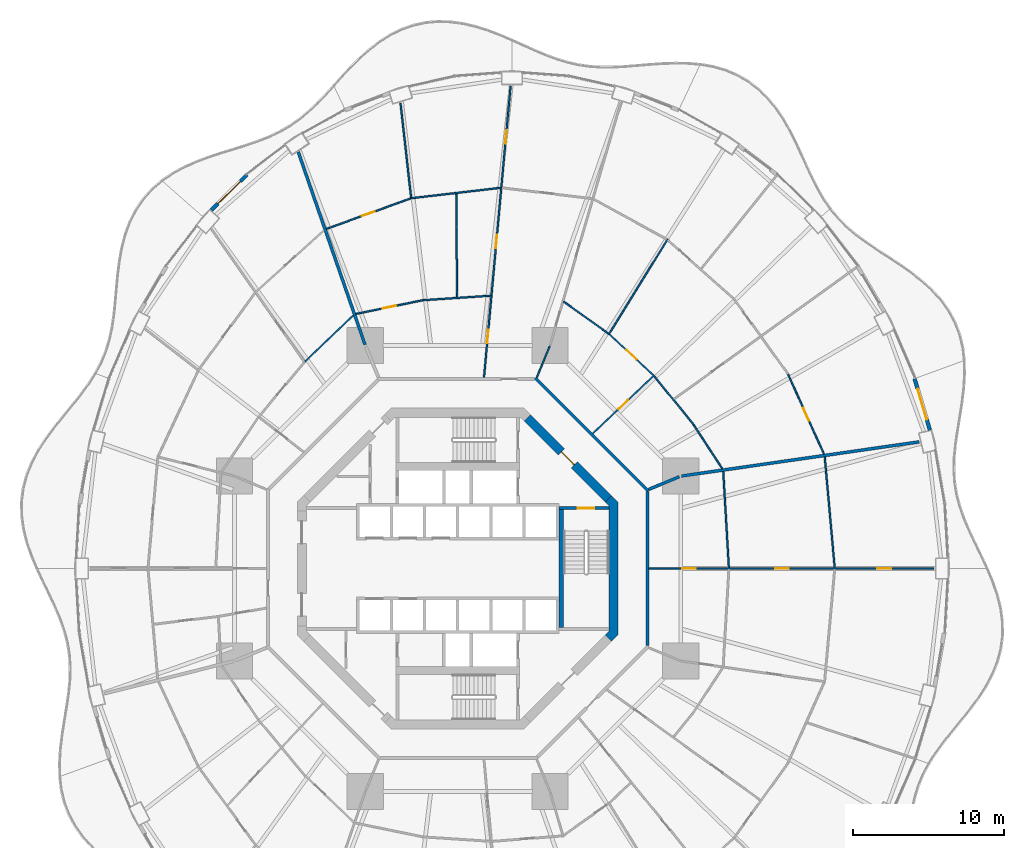
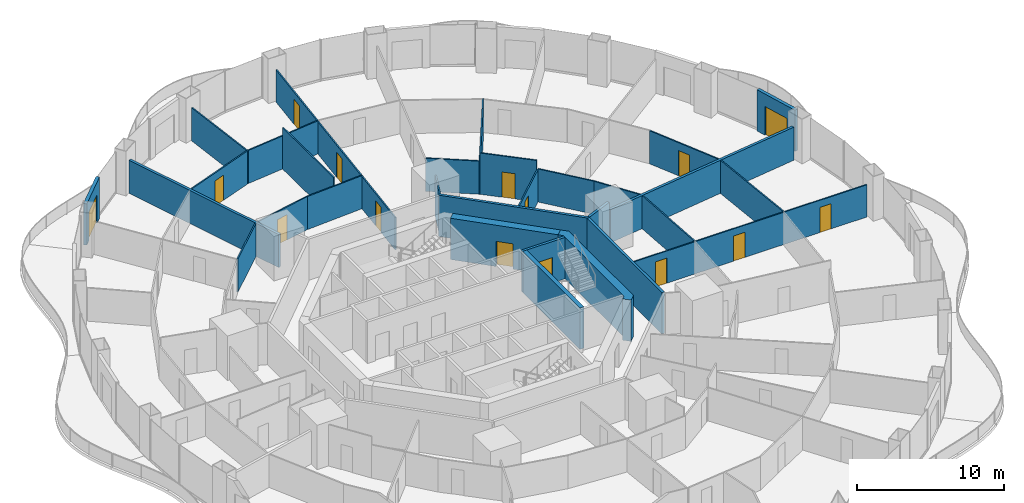
# One storey, part 17 of 21: 30 walls, 15 doors, 15 openings.
"""IFC4 building model written with IfcOpenShell, lengths in metres."""

from ifc_helpers import new_model, si_unit, direction, frame, frame_2d, origin, place, context, subcontext, project, spatial, polyline, rectangle, outline, extrude, material, layer, layer_set, type_object, element, fill, save


model = new_model("IFC4")

# Units and contexts
model_context = context("Model", 3, precision=1e-05, world=origin(), true_north=direction((0.0, 1.0)))
body_context = subcontext(model_context, "Body", "Model", "MODEL_VIEW")
ifc_project = project(units=[si_unit("LENGTHUNIT", "METRE"), si_unit("AREAUNIT", "SQUARE_METRE"), si_unit("VOLUMEUNIT", "CUBIC_METRE"), si_unit("PLANEANGLEUNIT", "RADIAN"), si_unit("MASSUNIT", "GRAM", prefix="KILO")], contexts=[model_context])

# Site, building, storey
site_placement = place(None, origin())
site = spatial("IfcSite", under=ifc_project, at=site_placement, CompositionType="ELEMENT")
building_placement = place(site_placement, origin())
building = spatial("IfcBuilding", under=site, at=building_placement, Name="Nagisa Residences", CompositionType="ELEMENT")
storey_placement = place(building_placement, frame((0.0, 0.0, 60.300048828125)))
storey = spatial("IfcBuildingStorey", under=building, at=storey_placement, Name="L14", CompositionType="ELEMENT", Elevation=60.300048828125)

# Walls
ifc_material_1 = material(Name="Gypsum board on steel studs", Category="steel")
ifc_layer_1 = layer(ifc_material_1, 0.199951171875)
ifc_layer_set_1 = layer_set([ifc_layer_1], Name="Apartment compartment wall EI60 200")
wall_type_1 = type_object("IfcWallType", Name="Apartment compartment wall EI60 200", PredefinedType="PARTITIONING", material=ifc_layer_set_1)
wall_1_placement = place(storey_placement, frame((12.6572265625, 5.24267578125, 0.0), z_axis=(0.0, 0.0, 1.0), x_axis=(0.923853160736, 0.382747093259, 0.0)))
element("IfcWall", 1, at=wall_1_placement, inside=storey, type_object=wall_type_1, Name="wall:L14:u00", PredefinedType="PARTITIONING", context=body_context, shape_type="SweptSolid", body=[
    extrude(rectangle(XDim=2.199951171875, YDim=0.199951171875, at=frame_2d((1.10009765625, 0.0))), origin(), (0.0, 0.0, 1.0), 3.43994140625),
])
wall_2_placement = place(storey_placement, frame((14.83154296875, 6.130126953125, 0.0), z_axis=(0.0, 0.0, 1.0), x_axis=(0.989836541293, 0.142209779978, 0.0)))
element("IfcWall", 2, at=wall_2_placement, inside=storey, type_object=wall_type_1, Name="wall:L14:u01", PredefinedType="PARTITIONING", context=body_context, shape_type="SweptSolid", body=[
    extrude(rectangle(XDim=15.9091796875, YDim=0.199951171875, at=frame_2d((7.95458984375, 0.0))), origin(), (0.0, 0.0, 1.0), 2.755859375),
])
wall_3_placement = place(storey_placement, frame((-6.139404296875, 14.829345703125, 0.0), z_axis=(0.0, 0.0, 1.0), x_axis=(-0.327178799566, 0.944962450637, 0.0)))
element("IfcWall", 3, at=wall_3_placement, inside=storey, type_object=wall_type_1, Name="wall:L14:u03", PredefinedType="PARTITIONING", context=body_context, shape_type="SweptSolid", body=[
    extrude(rectangle(XDim=13.517333984375, YDim=0.199951171875, at=frame_2d((6.7587890625, 0.0))), origin(), (0.0, 0.0, 1.0), 2.755859375),
])
ifc_material_2 = material(Name="Gypsum board on steel studs", Category="steel")
ifc_layer_2 = layer(ifc_material_2, 0.199951171875)
ifc_layer_set_2 = layer_set([ifc_layer_2], Name="Apartment entry wall EI60 200")
wall_type_2 = type_object("IfcWallType", Name="Apartment entry wall EI60 200", PredefinedType="PARTITIONING", material=ifc_layer_set_2)
wall_4_placement = place(storey_placement, frame((12.564697265625, -5.1044921875, 0.0), z_axis=(0.0, 0.0, 1.0), x_axis=(0.0, 1.0, 0.0)))
element("IfcWall", 4, at=wall_4_placement, inside=storey, type_object=wall_type_2, Name="wall:L14:u06", PredefinedType="PARTITIONING", context=body_context, shape_type="SweptSolid", body=[
    extrude(rectangle(XDim=10.208984375, YDim=0.199951171875, at=frame_2d((5.1044921875, 0.0))), origin(), (0.0, 0.0, 1.0), 3.43994140625),
])
wall_5_placement = place(storey_placement, frame((12.635498046875, 5.1337890625, 0.0), z_axis=(0.0, 0.0, 1.0), x_axis=(-0.707106781187, 0.707106781187, 0.0)))
element("IfcWall", 5, at=wall_5_placement, inside=storey, type_object=wall_type_2, Name="wall:L14:u07", PredefinedType="PARTITIONING", context=body_context, shape_type="SweptSolid", body=[
    extrude(rectangle(XDim=10.609130859375, YDim=0.199951171875, at=frame_2d((5.3046875, 0.0))), origin(), (0.0, 0.0, 1.0), 3.43994140625),
])

# Wall, openings, doors
ifc_material_3 = material(Name="Gypsum board on steel studs", Category="steel")
ifc_layer_3 = layer(ifc_material_3, 0.10009765625)
ifc_layer_set_3 = layer_set([ifc_layer_3], Name="Apartment partition 100")
wall_type_3 = type_object("IfcWallType", Name="Apartment partition 100", PredefinedType="PARTITIONING", material=ifc_layer_set_3)
wall_6_placement = place(storey_placement, frame((12.664794921875, 0.0, 0.0), z_axis=(0.0, 0.0, 1.0), x_axis=(1.0, 0.0, 0.0)))
wall_6 = element("IfcWall", 6, at=wall_6_placement, inside=storey, type_object=wall_type_3, Name="wall:L14:u14", PredefinedType="PARTITIONING", context=body_context, shape_type="SweptSolid", body=[
    extrude(rectangle(XDim=18.88525390625, YDim=0.10009765625, at=frame_2d((9.442626953125, 0.0))), origin(), (0.0, 0.0, 1.0), 2.68701171875),
])
opening_1_placement = place(wall_6_placement, frame((2.204833984375, 0.0, 0.0)))
opening_1 = element("IfcOpeningElement", 7, at=opening_1_placement, cuts=wall_6, Name="Opening L14-U05", PredefinedType="OPENING", context=body_context, shape_type="SweptSolid", body=[
    extrude(rectangle(XDim=0.89990234375, YDim=2.10009765625, at=frame_2d((0.449951171875, 1.050048828125))), frame((0.0, 0.06005859375, 0.0), z_axis=(0.0, -1.0, 0.0), x_axis=(1.0, 0.0, 0.0)), (0.0, 0.0, 1.0), 0.1201171875),
])
opening_2_placement = place(wall_6_placement, frame((8.36572265625, 0.0, 0.0)))
opening_2 = element("IfcOpeningElement", 8, at=opening_2_placement, cuts=wall_6, Name="Opening L14-U10", PredefinedType="OPENING", context=body_context, shape_type="SweptSolid", body=[
    extrude(rectangle(XDim=0.89990234375, YDim=2.10009765625, at=frame_2d((0.449951171875, 1.050048828125))), frame((0.0, 0.06005859375, 0.0), z_axis=(0.0, -1.0, 0.0), x_axis=(1.0, 0.0, 0.0)), (0.0, 0.0, 1.0), 0.1201171875),
])
opening_3_placement = place(wall_6_placement, frame((15.153564453125, 0.0, 0.0)))
opening_3 = element("IfcOpeningElement", 9, at=opening_3_placement, cuts=wall_6, Name="Opening L14-U16", PredefinedType="OPENING", context=body_context, shape_type="SweptSolid", body=[
    extrude(rectangle(XDim=0.89990234375, YDim=2.10009765625, at=frame_2d((0.449951171875, 1.050048828125))), frame((0.0, 0.06005859375, 0.0), z_axis=(0.0, -1.0, 0.0), x_axis=(1.0, 0.0, 0.0)), (0.0, 0.0, 1.0), 0.1201171875),
])
ifc_material_4 = material(Name="Timber door set", Category="wood")
door_type_1 = type_object("IfcDoorType", Name="Apartment door 900x2100", OperationType="NOTDEFINED", PredefinedType="DOOR", material=ifc_material_4)
door_1_placement = place(opening_1_placement, origin())
door_1 = element("IfcDoor", 10, at=door_1_placement, inside=storey, type_object=door_type_1, Name="Door to laundry, Apartment 14A", OperationType="SINGLE_SWING_LEFT", OverallHeight=2.10009765625, OverallWidth=0.89990234375, PredefinedType="DOOR", context=body_context, shape_type="SweptSolid", body=[
    extrude(rectangle(XDim=0.89990234375, YDim=2.10009765625, at=frame_2d((0.449951171875, 1.050048828125))), frame((0.0, 0.02490234375, 0.0), z_axis=(0.0, -1.0, 0.0), x_axis=(1.0, 0.0, 0.0)), (0.0, 0.0, 1.0), 0.050048828125),
])
fill(opening_1, door_1)
door_2_placement = place(opening_2_placement, origin())
door_2 = element("IfcDoor", 11, at=door_2_placement, inside=storey, type_object=door_type_1, Name="Door to dining room, Apartment 14A", OperationType="SINGLE_SWING_RIGHT", OverallHeight=2.10009765625, OverallWidth=0.89990234375, PredefinedType="DOOR", context=body_context, shape_type="SweptSolid", body=[
    extrude(rectangle(XDim=0.89990234375, YDim=2.10009765625, at=frame_2d((0.449951171875, 1.050048828125))), frame((0.0, 0.02490234375, 0.0), z_axis=(0.0, -1.0, 0.0), x_axis=(1.0, 0.0, 0.0)), (0.0, 0.0, 1.0), 0.050048828125),
])
fill(opening_2, door_2)
door_3_placement = place(opening_3_placement, origin())
door_3 = element("IfcDoor", 12, at=door_3_placement, inside=storey, type_object=door_type_1, Name="Door to dining room, Apartment 14A", OperationType="SINGLE_SWING_RIGHT", OverallHeight=2.10009765625, OverallWidth=0.89990234375, PredefinedType="DOOR", context=body_context, shape_type="SweptSolid", body=[
    extrude(rectangle(XDim=0.89990234375, YDim=2.10009765625, at=frame_2d((0.449951171875, 1.050048828125))), frame((0.0, 0.02490234375, 0.0), z_axis=(0.0, -1.0, 0.0), x_axis=(1.0, 0.0, 0.0)), (0.0, 0.0, 1.0), 0.050048828125),
])
fill(opening_3, door_3)

# Walls
wall_7_placement = place(storey_placement, frame((17.971435546875, 0.0498046875, 0.0), z_axis=(0.0, 0.0, 1.0), x_axis=(-0.058513659907, 0.998286607946, 0.0)))
element("IfcWall", 13, at=wall_7_placement, inside=storey, type_object=wall_type_3, Name="wall:L14:u15", PredefinedType="PARTITIONING", context=body_context, shape_type="SweptSolid", body=[
    extrude(rectangle(XDim=6.387939453125, YDim=0.10009765625, at=frame_2d((3.19384765625, 0.0))), origin(), (0.0, 0.0, 1.0), 2.755859375),
])
wall_8_placement = place(storey_placement, frame((24.982177734375, 0.0498046875, 0.0), z_axis=(0.0, 0.0, 1.0), x_axis=(-0.08944290521, 0.995991951126, 0.0)))
element("IfcWall", 14, at=wall_8_placement, inside=storey, type_object=wall_type_3, Name="wall:L14:u17", PredefinedType="PARTITIONING", context=body_context, shape_type="SweptSolid", body=[
    extrude(rectangle(XDim=7.37255859375, YDim=0.10009765625, at=frame_2d((3.686279296875, 0.0))), origin(), (0.0, 0.0, 1.0), 2.755859375),
])
wall_9_placement = place(storey_placement, frame((17.537109375, 6.6103515625, 0.0), z_axis=(0.0, 0.0, 1.0), x_axis=(-0.547637987196, 0.836715384692, 0.0)))
element("IfcWall", 15, at=wall_9_placement, inside=storey, type_object=wall_type_3, Name="wall:L14:u19", PredefinedType="PARTITIONING", context=body_context, shape_type="SweptSolid", body=[
    extrude(rectangle(XDim=3.52001953125, YDim=0.10009765625, at=frame_2d((1.760009765625, 0.0))), origin(), (0.0, 0.0, 1.0), 2.755859375),
])

# Wall, opening, door
wall_10_placement = place(storey_placement, frame((24.272705078125, 7.583740234375, 0.0), z_axis=(0.0, 0.0, 1.0), x_axis=(-0.410201529109, 0.911994904326, 0.0)))
wall_10 = element("IfcWall", 16, at=wall_10_placement, inside=storey, type_object=wall_type_3, Name="wall:L14:u20", PredefinedType="PARTITIONING", context=body_context, shape_type="SweptSolid", body=[
    extrude(rectangle(XDim=5.786865234375, YDim=0.10009765625, at=frame_2d((2.8935546875, 0.0))), origin(), (0.0, 0.0, 1.0), 2.755859375),
])
opening_4_placement = place(wall_10_placement, frame((2.443603515625, 0.0, 0.0)))
opening_4 = element("IfcOpeningElement", 17, at=opening_4_placement, cuts=wall_10, Name="Opening L14-U41", PredefinedType="OPENING", context=body_context, shape_type="SweptSolid", body=[
    extrude(rectangle(XDim=0.89990234375, YDim=2.10009765625, at=frame_2d((0.449951171875, 1.050048828125))), frame((0.0, 0.06005859375, 0.0), z_axis=(0.0, -1.0, 0.0), x_axis=(1.0, 0.0, 0.0)), (0.0, 0.0, 1.0), 0.1201171875),
])
door_4_placement = place(opening_4_placement, frame((0.89990234375, 0.0, 0.0), x_axis=(-1.0, 0.0, 0.0)))
door_4 = element("IfcDoor", 18, at=door_4_placement, inside=storey, type_object=door_type_1, Name="Door to family room, Apartment 14B", OperationType="SINGLE_SWING_RIGHT", OverallHeight=2.10009765625, OverallWidth=0.89990234375, PredefinedType="DOOR", context=body_context, shape_type="SweptSolid", body=[
    extrude(rectangle(XDim=0.89990234375, YDim=2.10009765625, at=frame_2d((0.449951171875, 1.050048828125))), frame((0.0, 0.02490234375, 0.0), z_axis=(0.0, -1.0, 0.0), x_axis=(1.0, 0.0, 0.0)), (0.0, 0.0, 1.0), 0.050048828125),
])
fill(opening_4, door_4)

# Wall
wall_11_placement = place(storey_placement, frame((15.613525390625, 9.55859375, 0.0), z_axis=(0.0, 0.0, 1.0), x_axis=(-0.63012473344, 0.776493928056, 0.0)))
element("IfcWall", 19, at=wall_11_placement, inside=storey, type_object=wall_type_3, Name="wall:L14:u21", PredefinedType="PARTITIONING", context=body_context, shape_type="SweptSolid", body=[
    extrude(rectangle(XDim=4.1064453125, YDim=0.10009765625, at=frame_2d((2.05322265625, 0.0))), origin(), (0.0, 0.0, 1.0), 2.755859375),
])

# Wall, opening, door
wall_12_placement = place(storey_placement, frame((8.95703125, 8.953369140625, 0.0), z_axis=(0.0, 0.0, 1.0), x_axis=(0.725253319157, 0.688482115273, 0.0)))
wall_12 = element("IfcWall", 20, at=wall_12_placement, inside=storey, type_object=wall_type_3, Name="wall:L14:u24", PredefinedType="PARTITIONING", context=body_context, shape_type="SweptSolid", body=[
    extrude(rectangle(XDim=5.616943359375, YDim=0.10009765625, at=frame_2d((2.80859375, 0.0))), origin(), (0.0, 0.0, 1.0), 2.68701171875),
])
opening_5_placement = place(wall_12_placement, frame((2.33349609375, 0.0, 0.0)))
opening_5 = element("IfcOpeningElement", 21, at=opening_5_placement, cuts=wall_12, Name="Opening L14-U39", PredefinedType="OPENING", context=body_context, shape_type="SweptSolid", body=[
    extrude(rectangle(XDim=0.89990234375, YDim=2.10009765625, at=frame_2d((0.449951171875, 1.050048828125))), frame((0.0, 0.06005859375, 0.0), z_axis=(0.0, -1.0, 0.0), x_axis=(1.0, 0.0, 0.0)), (0.0, 0.0, 1.0), 0.1201171875),
])
door_5_placement = place(opening_5_placement, frame((0.89990234375, 0.0, 0.0), x_axis=(-1.0, 0.0, 0.0)))
door_5 = element("IfcDoor", 22, at=door_5_placement, inside=storey, type_object=door_type_1, Name="Door to store, Apartment 14B", OperationType="SINGLE_SWING_RIGHT", OverallHeight=2.10009765625, OverallWidth=0.89990234375, PredefinedType="DOOR", context=body_context, shape_type="SweptSolid", body=[
    extrude(rectangle(XDim=0.89990234375, YDim=2.10009765625, at=frame_2d((0.449951171875, 1.050048828125))), frame((0.0, 0.02490234375, 0.0), z_axis=(0.0, -1.0, 0.0), x_axis=(1.0, 0.0, 0.0)), (0.0, 0.0, 1.0), 0.050048828125),
])
fill(opening_5, door_5)

wall_13_placement = place(storey_placement, frame((12.957763671875, 12.820068359375, 0.0), z_axis=(0.0, 0.0, 1.0), x_axis=(-0.732022571638, 0.681280378855, 0.0)))
wall_13 = element("IfcWall", 23, at=wall_13_placement, inside=storey, type_object=wall_type_3, Name="wall:L14:u25", PredefinedType="PARTITIONING", context=body_context, shape_type="SweptSolid", body=[
    extrude(rectangle(XDim=3.9501953125, YDim=0.10009765625, at=frame_2d((1.97509765625, 0.0))), origin(), (0.0, 0.0, 1.0), 3.43994140625),
])
opening_6_placement = place(wall_13_placement, frame((1.525146484375, 0.0, 0.0)))
opening_6 = element("IfcOpeningElement", 24, at=opening_6_placement, cuts=wall_13, Name="Opening L14-U30", PredefinedType="OPENING", context=body_context, shape_type="SweptSolid", body=[
    extrude(rectangle(XDim=0.89990234375, YDim=2.10009765625, at=frame_2d((0.449951171875, 1.050048828125))), frame((0.0, 0.06005859375, 0.0), z_axis=(0.0, -1.0, 0.0), x_axis=(1.0, 0.0, 0.0)), (0.0, 0.0, 1.0), 0.1201171875),
])
door_6_placement = place(opening_6_placement, frame((0.89990234375, 0.0, 0.0), x_axis=(-1.0, 0.0, 0.0)))
door_6 = element("IfcDoor", 25, at=door_6_placement, inside=storey, type_object=door_type_1, Name="Door to family room, Apartment 14B", OperationType="SINGLE_SWING_LEFT", OverallHeight=2.10009765625, OverallWidth=0.89990234375, PredefinedType="DOOR", context=body_context, shape_type="SweptSolid", body=[
    extrude(rectangle(XDim=0.89990234375, YDim=2.10009765625, at=frame_2d((0.449951171875, 1.050048828125))), frame((0.0, 0.02490234375, 0.0), z_axis=(0.0, -1.0, 0.0), x_axis=(1.0, 0.0, 0.0)), (0.0, 0.0, 1.0), 0.050048828125),
])
fill(opening_6, door_6)

# Walls
wall_14_placement = place(storey_placement, frame((10.003173828125, 15.502685546875, 0.0), z_axis=(0.0, 0.0, 1.0), x_axis=(0.52645953022, 0.850200189979, 0.0)))
element("IfcWall", 26, at=wall_14_placement, inside=storey, type_object=wall_type_3, Name="wall:L14:u28", PredefinedType="PARTITIONING", context=body_context, shape_type="SweptSolid", body=[
    extrude(rectangle(XDim=7.449951171875, YDim=0.10009765625, at=frame_2d((3.72509765625, 0.0))), origin(), (0.0, 0.0, 1.0), 2.755859375),
])
wall_15_placement = place(storey_placement, frame((9.98876953125, 15.57421875, 0.0), z_axis=(0.0, 0.0, 1.0), x_axis=(-0.81494477814, 0.57953861699, 0.0)))
element("IfcWall", 27, at=wall_15_placement, inside=storey, type_object=wall_type_3, Name="wall:L14:u29", PredefinedType="PARTITIONING", context=body_context, shape_type="SweptSolid", body=[
    extrude(rectangle(XDim=3.644287109375, YDim=0.10009765625, at=frame_2d((1.822265625, 0.0))), origin(), (0.0, 0.0, 1.0), 2.755859375),
])
wall_16_placement = place(storey_placement, frame((5.24267578125, 12.6572265625, 0.0), z_axis=(0.0, 0.0, 1.0), x_axis=(0.382719158442, 0.923864733477, 0.0)))
element("IfcWall", 28, at=wall_16_placement, inside=storey, type_object=wall_type_3, Name="wall:L14:u31", PredefinedType="PARTITIONING", context=body_context, shape_type="SweptSolid", body=[
    extrude(rectangle(XDim=2.25, YDim=0.10009765625, at=frame_2d((1.125, 0.0))), origin(), (0.0, 0.0, 1.0), 3.43994140625),
])

# Wall, openings, doors
wall_17_placement = place(storey_placement, frame((1.743896484375, 12.664306640625, 0.0), z_axis=(0.0, 0.0, 1.0), x_axis=(0.090893639596, 0.995860605849, 0.0)))
wall_17 = element("IfcWall", 29, at=wall_17_placement, inside=storey, type_object=wall_type_3, Name="wall:L14:u34", PredefinedType="PARTITIONING", context=body_context, shape_type="SweptSolid", body=[
    extrude(rectangle(XDim=19.3740234375, YDim=0.10009765625, at=frame_2d((9.68701171875, 0.0))), origin(), (0.0, 0.0, 1.0), 2.68701171875),
])
opening_7_placement = place(wall_17_placement, frame((2.270263671875, 0.0, 0.0)))
opening_7 = element("IfcOpeningElement", 30, at=opening_7_placement, cuts=wall_17, Name="Opening L14-U29", PredefinedType="OPENING", context=body_context, shape_type="SweptSolid", body=[
    extrude(rectangle(XDim=0.89990234375, YDim=2.10009765625, at=frame_2d((0.449951171875, 1.050048828125))), frame((0.0, 0.06005859375, 0.0), z_axis=(0.0, -1.0, 0.0), x_axis=(1.0, 0.0, 0.0)), (0.0, 0.0, 1.0), 0.1201171875),
])
opening_8_placement = place(wall_17_placement, frame((8.58154296875, 0.0, 0.0)))
opening_8 = element("IfcOpeningElement", 31, at=opening_8_placement, cuts=wall_17, Name="Opening L14-U32", PredefinedType="OPENING", context=body_context, shape_type="SweptSolid", body=[
    extrude(rectangle(XDim=0.89990234375, YDim=2.10009765625, at=frame_2d((0.449951171875, 1.050048828125))), frame((0.0, 0.06005859375, 0.0), z_axis=(0.0, -1.0, 0.0), x_axis=(1.0, 0.0, 0.0)), (0.0, 0.0, 1.0), 0.1201171875),
])
opening_9_placement = place(wall_17_placement, frame((15.54833984375, 0.0, 0.0)))
opening_9 = element("IfcOpeningElement", 32, at=opening_9_placement, cuts=wall_17, Name="Opening L14-U37", PredefinedType="OPENING", context=body_context, shape_type="SweptSolid", body=[
    extrude(rectangle(XDim=0.89990234375, YDim=2.10009765625, at=frame_2d((0.449951171875, 1.050048828125))), frame((0.0, 0.06005859375, 0.0), z_axis=(0.0, -1.0, 0.0), x_axis=(1.0, 0.0, 0.0)), (0.0, 0.0, 1.0), 0.1201171875),
])
door_7_placement = place(opening_7_placement, origin())
door_7 = element("IfcDoor", 33, at=door_7_placement, inside=storey, type_object=door_type_1, Name="Door to store, Apartment 14B", OperationType="SINGLE_SWING_LEFT", OverallHeight=2.10009765625, OverallWidth=0.89990234375, PredefinedType="DOOR", context=body_context, shape_type="SweptSolid", body=[
    extrude(rectangle(XDim=0.89990234375, YDim=2.10009765625, at=frame_2d((0.449951171875, 1.050048828125))), frame((0.0, 0.02490234375, 0.0), z_axis=(0.0, -1.0, 0.0), x_axis=(1.0, 0.0, 0.0)), (0.0, 0.0, 1.0), 0.050048828125),
])
fill(opening_7, door_7)
door_8_placement = place(opening_8_placement, origin())
door_8 = element("IfcDoor", 34, at=door_8_placement, inside=storey, type_object=door_type_1, Name="Door to family bathroom, Apartment 14B", OperationType="SINGLE_SWING_RIGHT", OverallHeight=2.10009765625, OverallWidth=0.89990234375, PredefinedType="DOOR", context=body_context, shape_type="SweptSolid", body=[
    extrude(rectangle(XDim=0.89990234375, YDim=2.10009765625, at=frame_2d((0.449951171875, 1.050048828125))), frame((0.0, 0.02490234375, 0.0), z_axis=(0.0, -1.0, 0.0), x_axis=(1.0, 0.0, 0.0)), (0.0, 0.0, 1.0), 0.050048828125),
])
fill(opening_8, door_8)
door_9_placement = place(opening_9_placement, origin())
door_9 = element("IfcDoor", 35, at=door_9_placement, inside=storey, type_object=door_type_1, Name="Door to dining room, Apartment 14B", OperationType="SINGLE_SWING_LEFT", OverallHeight=2.10009765625, OverallWidth=0.89990234375, PredefinedType="DOOR", context=body_context, shape_type="SweptSolid", body=[
    extrude(rectangle(XDim=0.89990234375, YDim=2.10009765625, at=frame_2d((0.449951171875, 1.050048828125))), frame((0.0, 0.02490234375, 0.0), z_axis=(0.0, -1.0, 0.0), x_axis=(1.0, 0.0, 0.0)), (0.0, 0.0, 1.0), 0.050048828125),
])
fill(opening_9, door_9)

# Walls
wall_18_placement = place(storey_placement, frame((2.1884765625, 18.078857421875, 0.0), z_axis=(0.0, 0.0, 1.0), x_axis=(-0.997791437766, -0.066424744789, 0.0)))
element("IfcWall", 36, at=wall_18_placement, inside=storey, type_object=wall_type_3, Name="wall:L14:u35", PredefinedType="PARTITIONING", context=body_context, shape_type="SweptSolid", body=[
    extrude(rectangle(XDim=4.46923828125, YDim=0.10009765625, at=frame_2d((2.234619140625, 0.0))), origin(), (0.0, 0.0, 1.0), 2.755859375),
])
wall_19_placement = place(storey_placement, frame((2.841552734375, 25.228759765625, 0.0), z_axis=(0.0, 0.0, 1.0), x_axis=(-0.993255612046, -0.115945198862, 0.0)))
element("IfcWall", 37, at=wall_19_placement, inside=storey, type_object=wall_type_3, Name="wall:L14:u36", PredefinedType="PARTITIONING", context=body_context, shape_type="SweptSolid", body=[
    extrude(rectangle(XDim=5.91259765625, YDim=0.10009765625, at=frame_2d((2.956298828125, 0.0))), origin(), (0.0, 0.0, 1.0), 2.755859375),
])
wall_20_placement = place(storey_placement, frame((-0.041748046875, 17.98046875, 0.0), z_axis=(0.0, 0.0, 1.0), x_axis=(-0.007692080119, 0.999970415514, 0.0)))
element("IfcWall", 38, at=wall_20_placement, inside=storey, type_object=wall_type_3, Name="wall:L14:u37", PredefinedType="PARTITIONING", context=body_context, shape_type="SweptSolid", body=[
    extrude(rectangle(XDim=6.855712890625, YDim=0.10009765625, at=frame_2d((3.427734375, 0.0))), origin(), (0.0, 0.0, 1.0), 3.43994140625),
])

# Wall, opening, door
wall_21_placement = place(storey_placement, frame((-2.27197265625, 17.788818359375, 0.0), z_axis=(0.0, 0.0, 1.0), x_axis=(-0.979595137747, -0.200981009307, 0.0)))
wall_21 = element("IfcWall", 39, at=wall_21_placement, inside=storey, type_object=wall_type_3, Name="wall:L14:u38", PredefinedType="PARTITIONING", context=body_context, shape_type="SweptSolid", body=[
    extrude(rectangle(XDim=4.5625, YDim=0.10009765625, at=frame_2d((2.28125, 0.0))), origin(), (0.0, 0.0, 1.0), 2.755859375),
])
opening_10_placement = place(wall_21_placement, frame((1.856201171875, 0.0, 0.0)))
opening_10 = element("IfcOpeningElement", 40, at=opening_10_placement, cuts=wall_21, Name="Opening L14-U33", PredefinedType="OPENING", context=body_context, shape_type="SweptSolid", body=[
    extrude(rectangle(XDim=0.89990234375, YDim=2.10009765625, at=frame_2d((0.449951171875, 1.050048828125))), frame((0.0, 0.06005859375, 0.0), z_axis=(0.0, -1.0, 0.0), x_axis=(1.0, 0.0, 0.0)), (0.0, 0.0, 1.0), 0.1201171875),
])
door_10_placement = place(opening_10_placement, frame((0.89990234375, 0.0, 0.0), x_axis=(-1.0, 0.0, 0.0)))
door_10 = element("IfcDoor", 41, at=door_10_placement, inside=storey, type_object=door_type_1, Name="Door to family room, Apartment 14B", OperationType="SINGLE_SWING_RIGHT", OverallHeight=2.10009765625, OverallWidth=0.89990234375, PredefinedType="DOOR", context=body_context, shape_type="SweptSolid", body=[
    extrude(rectangle(XDim=0.89990234375, YDim=2.10009765625, at=frame_2d((0.449951171875, 1.050048828125))), frame((0.0, 0.02490234375, 0.0), z_axis=(0.0, -1.0, 0.0), x_axis=(1.0, 0.0, 0.0)), (0.0, 0.0, 1.0), 0.050048828125),
])
fill(opening_10, door_10)

# Wall
wall_22_placement = place(storey_placement, frame((-3.0751953125, 24.48779296875, 0.0), z_axis=(0.0, 0.0, 1.0), x_axis=(-0.111705235978, 0.993741384997, 0.0)))
element("IfcWall", 42, at=wall_22_placement, inside=storey, type_object=wall_type_3, Name="wall:L14:u39", PredefinedType="PARTITIONING", context=body_context, shape_type="SweptSolid", body=[
    extrude(rectangle(XDim=6.39501953125, YDim=0.10009765625, at=frame_2d((3.197509765625, 0.0))), origin(), (0.0, 0.0, 1.0), 2.755859375),
])

# Wall, opening, door
wall_23_placement = place(storey_placement, frame((-3.1279296875, 24.5205078125, 0.0), z_axis=(0.0, 0.0, 1.0), x_axis=(-0.940401494588, -0.340066212636, 0.0)))
wall_23 = element("IfcWall", 43, at=wall_23_placement, inside=storey, type_object=wall_type_3, Name="wall:L14:u40", PredefinedType="PARTITIONING", context=body_context, shape_type="SweptSolid", body=[
    extrude(rectangle(XDim=5.9169921875, YDim=0.10009765625, at=frame_2d((2.95849609375, 0.0))), origin(), (0.0, 0.0, 1.0), 2.755859375),
])
opening_11_placement = place(wall_23_placement, frame((2.508544921875, 0.0, 0.0)))
opening_11 = element("IfcOpeningElement", 44, at=opening_11_placement, cuts=wall_23, Name="Opening L14-U38", PredefinedType="OPENING", context=body_context, shape_type="SweptSolid", body=[
    extrude(rectangle(XDim=0.89990234375, YDim=2.10009765625, at=frame_2d((0.449951171875, 1.050048828125))), frame((0.0, 0.06005859375, 0.0), z_axis=(0.0, -1.0, 0.0), x_axis=(1.0, 0.0, 0.0)), (0.0, 0.0, 1.0), 0.1201171875),
])
door_11_placement = place(opening_11_placement, frame((0.89990234375, 0.0, 0.0), x_axis=(-1.0, 0.0, 0.0)))
door_11 = element("IfcDoor", 45, at=door_11_placement, inside=storey, type_object=door_type_1, Name="Door to master bedroom, Apartment 14B", OperationType="SINGLE_SWING_LEFT", OverallHeight=2.10009765625, OverallWidth=0.89990234375, PredefinedType="DOOR", context=body_context, shape_type="SweptSolid", body=[
    extrude(rectangle(XDim=0.89990234375, YDim=2.10009765625, at=frame_2d((0.449951171875, 1.050048828125))), frame((0.0, 0.02490234375, 0.0), z_axis=(0.0, -1.0, 0.0), x_axis=(1.0, 0.0, 0.0)), (0.0, 0.0, 1.0), 0.050048828125),
])
fill(opening_11, door_11)

# Wall
wall_24_placement = place(storey_placement, frame((-6.911865234375, 16.782470703125, 0.0), z_axis=(0.0, 0.0, 1.0), x_axis=(-0.722775679202, -0.691082713975, 0.0)))
element("IfcWall", 46, at=wall_24_placement, inside=storey, type_object=wall_type_3, Name="wall:L14:u41", PredefinedType="PARTITIONING", context=body_context, shape_type="SweptSolid", body=[
    extrude(rectangle(XDim=4.43701171875, YDim=0.10009765625, at=frame_2d((2.218505859375, 0.0))), origin(), (0.0, 0.0, 1.0), 2.755859375),
])

# Wall, opening, door
ifc_material_5 = material(Name="Precast concrete C40/50", Category="concrete")
ifc_layer_4 = layer(ifc_material_5, 0.25)
ifc_layer_set_4 = layer_set([ifc_layer_4], Name="BALCONY DOOR WALL 250")
wall_type_4 = type_object("IfcWallType", Name="BALCONY DOOR WALL 250", PredefinedType="SOLIDWALL", material=ifc_layer_set_4)
wall_25_placement = place(storey_placement, frame((30.272705078125, 12.5927734375, 0.0), z_axis=(0.0, 0.0, 1.0), x_axis=(0.285871309426, -0.958268018065, 0.0)))
wall_25 = element("IfcWall", 47, at=wall_25_placement, inside=storey, type_object=wall_type_4, Name="wall:L14:bay02", PredefinedType="SOLIDWALL", context=body_context, shape_type="SweptSolid", body=[
    extrude(rectangle(XDim=3.5654296875, YDim=0.25, at=frame_2d((1.78271484375, 0.0))), origin(), (0.0, 0.0, 1.0), 3.43994140625),
])
opening_12_placement = place(wall_25_placement, frame((0.732666015625, 0.0, 0.0)))
opening_12 = element("IfcOpeningElement", 48, at=opening_12_placement, cuts=wall_25, Name="Opening BD-L14-01", PredefinedType="OPENING", context=body_context, shape_type="SweptSolid", body=[
    extrude(rectangle(XDim=2.10009765625, YDim=2.39990234375, at=frame_2d((1.050048828125, 1.199951171875))), frame((0.0, 0.135009765625, 0.0), z_axis=(0.0, -1.0, 0.0), x_axis=(1.0, 0.0, 0.0)), (0.0, 0.0, 1.0), 0.27001953125),
])
ifc_material_6 = material(Name="Aluminium and clear glass", Category="aluminium")
door_type_2 = type_object("IfcDoorType", Name="BALCONY SLIDING DOOR 2100x2400", OperationType="SLIDING_TO_LEFT", PredefinedType="DOOR", material=ifc_material_6)
door_12_placement = place(opening_12_placement, origin())
door_12 = element("IfcDoor", 49, at=door_12_placement, inside=storey, type_object=door_type_2, Name="door:L14:bay02", OperationType="SLIDING_TO_LEFT", OverallHeight=2.39990234375, OverallWidth=2.10009765625, PredefinedType="DOOR", context=body_context, shape_type="SweptSolid", body=[
    extrude(rectangle(XDim=2.10009765625, YDim=2.39990234375, at=frame_2d((1.050048828125, 1.199951171875))), frame((0.0, 0.02490234375, 0.0), z_axis=(0.0, -1.0, 0.0), x_axis=(1.0, 0.0, 0.0)), (0.0, 0.0, 1.0), 0.050048828125),
])
fill(opening_12, door_12)

wall_26_placement = place(storey_placement, frame((-16.322265625, 23.740478515625, 0.0), z_axis=(0.0, 0.0, 1.0), x_axis=(0.707803094595, 0.706409781417, 0.0)))
wall_26 = element("IfcWall", 50, at=wall_26_placement, inside=storey, type_object=wall_type_4, Name="wall:L14:bay17", PredefinedType="SOLIDWALL", context=body_context, shape_type="SweptSolid", body=[
    extrude(rectangle(XDim=3.329345703125, YDim=0.25, at=frame_2d((1.66455078125, 0.0))), origin(), (0.0, 0.0, 1.0), 3.43994140625),
])
opening_13_placement = place(wall_26_placement, frame((0.614501953125, 0.0, 0.0)))
opening_13 = element("IfcOpeningElement", 51, at=opening_13_placement, cuts=wall_26, Name="Opening BD-L14-06", PredefinedType="OPENING", context=body_context, shape_type="SweptSolid", body=[
    extrude(rectangle(XDim=2.10009765625, YDim=2.39990234375, at=frame_2d((1.050048828125, 1.199951171875))), frame((0.0, 0.135009765625, 0.0), z_axis=(0.0, -1.0, 0.0), x_axis=(1.0, 0.0, 0.0)), (0.0, 0.0, 1.0), 0.27001953125),
])
door_13_placement = place(opening_13_placement, origin())
door_13 = element("IfcDoor", 52, at=door_13_placement, inside=storey, type_object=door_type_2, Name="door:L14:bay17", OperationType="SLIDING_TO_LEFT", OverallHeight=2.39990234375, OverallWidth=2.10009765625, PredefinedType="DOOR", context=body_context, shape_type="SweptSolid", body=[
    extrude(rectangle(XDim=2.10009765625, YDim=2.39990234375, at=frame_2d((1.050048828125, 1.199951171875))), frame((0.0, 0.02490234375, 0.0), z_axis=(0.0, -1.0, 0.0), x_axis=(1.0, 0.0, 0.0)), (0.0, 0.0, 1.0), 0.050048828125),
])
fill(opening_13, door_13)

ifc_material_7 = material(Name="Concrete C60", Category="concrete")
ifc_layer_5 = layer(ifc_material_7, 0.60009765625)
ifc_layer_set_5 = layer_set([ifc_layer_5], Name="Core shear wall 600")
wall_type_5 = type_object("IfcWallType", Name="Core shear wall 600", PredefinedType="SHEAR", material=ifc_layer_set_5)
wall_27_placement = place(storey_placement, frame((9.98828125, 4.613037109375, 0.0), z_axis=(0.0, 0.0, 1.0), x_axis=(-0.707106781187, 0.707106781187, 0.0)))
wall_27 = element("IfcWall", 53, at=wall_27_placement, inside=storey, type_object=wall_type_5, Name="wall:L14:core:flat1", PredefinedType="SHEAR", context=body_context, shape_type="SweptSolid", body=[
    extrude(rectangle(XDim=7.601806640625, YDim=0.60009765625, at=frame_2d((3.80078125, 0.0))), origin(), (0.0, 0.0, 1.0), 3.43994140625),
])
opening_14_placement = place(wall_27_placement, frame((3.200927734375, 0.0, 0.0)))
opening_14 = element("IfcOpeningElement", 54, at=opening_14_placement, cuts=wall_27, Name="Opening L14-C16", PredefinedType="OPENING", context=body_context, shape_type="SweptSolid", body=[
    extrude(rectangle(XDim=1.199951171875, YDim=2.10009765625, at=frame_2d((0.60009765625, 1.050048828125))), frame((0.0, 0.31005859375, 0.0), z_axis=(0.0, -1.0, 0.0), x_axis=(1.0, 0.0, 0.0)), (0.0, 0.0, 1.0), 0.6201171875),
])
ifc_material_8 = material(Name="Steel fire door", Category="steel")
door_type_3 = type_object("IfcDoorType", Name="Fire door EI60 1200x2100 single swing", OperationType="NOTDEFINED", PredefinedType="DOOR", material=ifc_material_8)
door_14_placement = place(opening_14_placement, origin())
door_14 = element("IfcDoor", 55, at=door_14_placement, inside=storey, type_object=door_type_3, Name="Firefighting lobby 1 door L14", OperationType="SINGLE_SWING_RIGHT", OverallHeight=2.10009765625, OverallWidth=1.199951171875, PredefinedType="DOOR", context=body_context, shape_type="SweptSolid", body=[
    extrude(rectangle(XDim=1.199951171875, YDim=2.10009765625, at=frame_2d((0.60009765625, 1.050048828125))), frame((0.0, 0.02490234375, 0.0), z_axis=(0.0, -1.0, 0.0), x_axis=(1.0, 0.0, 0.0)), (0.0, 0.0, 1.0), 0.050048828125),
])
fill(opening_14, door_14)

# Wall
wall_28_placement = place(storey_placement, origin())
element("IfcWall", 56, at=wall_28_placement, inside=storey, type_object=wall_type_5, Name="wall:L14:core:flat0", PredefinedType="SHEAR", context=body_context, shape_type="SweptSolid", body=[
    extrude(outline(polyline([(9.776123046875, -4.40087890625), (10.024658203125, -4.15234375), (10.024658203125, -3.801025390625), (10.024658203125, 4.15234375), (9.776123046875, 4.40087890625), (10.200439453125, 4.8251953125), (10.62451171875, 4.40087890625), (10.62451171875, -4.40087890625), (10.200439453125, -4.8251953125), (9.776123046875, -4.40087890625)])), origin(), (0.0, 0.0, 1.0), 3.43994140625),
])

# Wall, opening, door
ifc_material_9 = material(Name="Concrete C60", Category="concrete")
ifc_layer_6 = layer(ifc_material_9, 0.199951171875)
ifc_layer_set_6 = layer_set([ifc_layer_6], Name="Stair enclosure wall 200")
wall_type_6 = type_object("IfcWallType", Name="Stair enclosure wall 200", PredefinedType="SOLIDWALL", material=ifc_layer_set_6)
wall_29_placement = place(storey_placement, frame((6.699951171875, 4.0, 0.0), z_axis=(0.0, 0.0, 1.0), x_axis=(1.0, 0.0, 0.0)))
wall_29 = element("IfcWall", 57, at=wall_29_placement, inside=storey, type_object=wall_type_6, Name="wall:L14:SE_n", PredefinedType="SOLIDWALL", context=body_context, shape_type="SweptSolid", body=[
    extrude(rectangle(XDim=3.32470703125, YDim=0.199951171875, at=frame_2d((1.662353515625, 0.0))), origin(), (0.0, 0.0, 1.0), 3.43994140625),
])
opening_15_placement = place(wall_29_placement, frame((1.25, 0.0, 0.0)))
opening_15 = element("IfcOpeningElement", 58, at=opening_15_placement, cuts=wall_29, Name="Opening L14-C09", PredefinedType="OPENING", context=body_context, shape_type="SweptSolid", body=[
    extrude(rectangle(XDim=1.10009765625, YDim=2.10009765625, at=frame_2d((0.550048828125, 1.050048828125))), frame((0.0, 0.10986328125, 0.0), z_axis=(0.0, -1.0, 0.0), x_axis=(1.0, 0.0, 0.0)), (0.0, 0.0, 1.0), 0.219970703125),
])
ifc_material_10 = material(Name="Steel fire door", Category="steel")
door_type_4 = type_object("IfcDoorType", Name="Fire door EI90 1100x2100 single swing", OperationType="NOTDEFINED", PredefinedType="DOOR", material=ifc_material_10)
door_15_placement = place(opening_15_placement, frame((1.10009765625, 0.0, 0.0), x_axis=(-1.0, 0.0, 0.0)))
door_15 = element("IfcDoor", 59, at=door_15_placement, inside=storey, type_object=door_type_4, Name="Stair door ST-E L14", OperationType="SINGLE_SWING_RIGHT", OverallHeight=2.10009765625, OverallWidth=1.10009765625, PredefinedType="DOOR", context=body_context, shape_type="SweptSolid", body=[
    extrude(rectangle(XDim=1.10009765625, YDim=2.10009765625, at=frame_2d((0.550048828125, 1.050048828125))), frame((0.0, 0.02490234375, 0.0), z_axis=(0.0, -1.0, 0.0), x_axis=(1.0, 0.0, 0.0)), (0.0, 0.0, 1.0), 0.050048828125),
])
fill(opening_15, door_15)

# Wall
wall_30_placement = place(storey_placement, origin())
element("IfcWall", 60, at=wall_30_placement, inside=storey, type_object=wall_type_6, Name="wall:L14:SE_w", PredefinedType="SOLIDWALL", context=body_context, shape_type="SweptSolid", body=[
    extrude(outline(polyline([(7.024658203125, -3.89990234375), (6.699951171875, -3.89990234375), (6.699951171875, 3.89990234375), (7.024658203125, 3.89990234375), (7.024658203125, -3.89990234375)])), origin(), (0.0, 0.0, 1.0), 3.43994140625),
])

save(model, "model.ifc")
